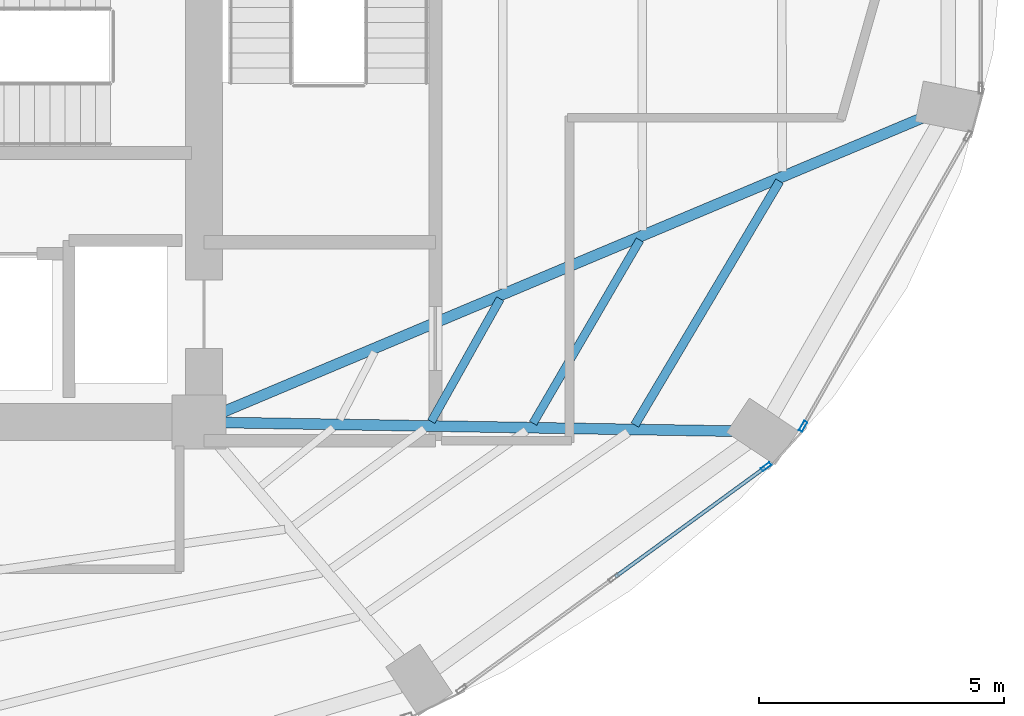
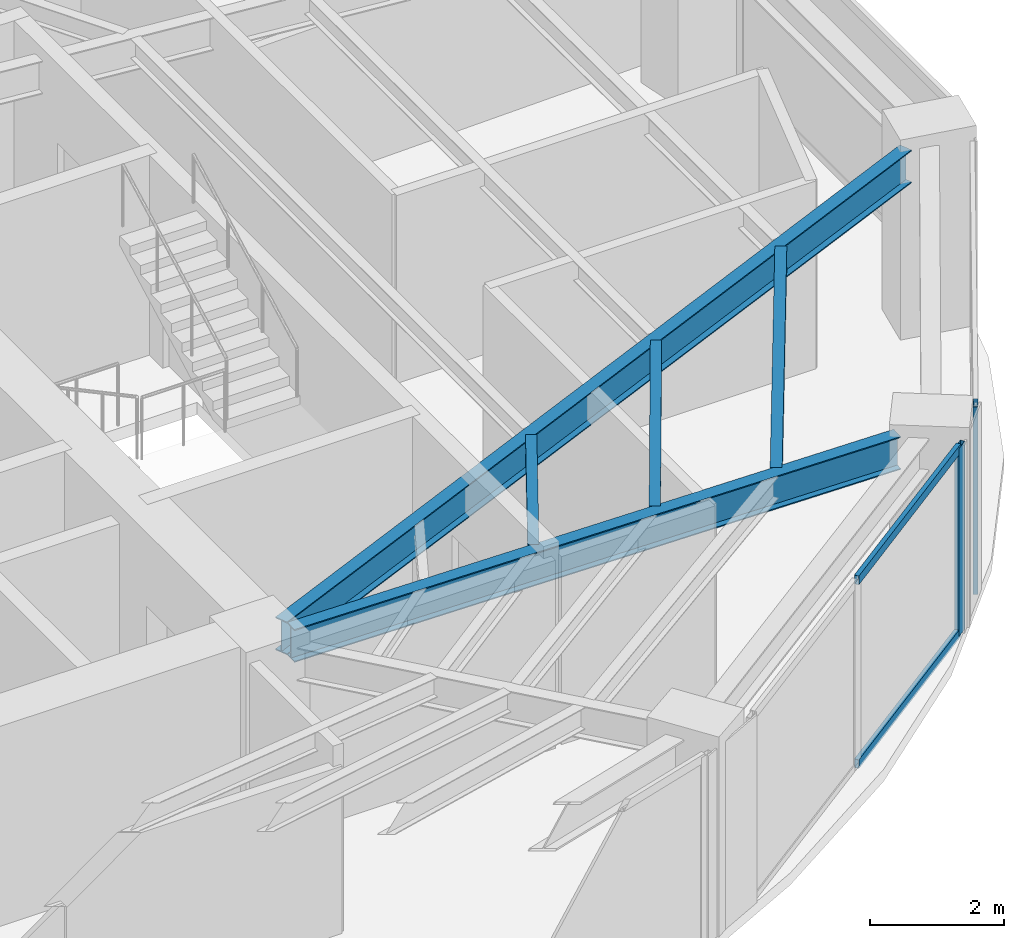
# One storey, part 11 of 23: 5 beams, 4 members, 2 elements without a shape of their own.
"""IFC4 building model written with IfcOpenShell, lengths in metres."""

from ifc_helpers import new_model, si_unit, direction, frame, origin, origin_2d, place, context, subcontext, project, spatial, hollow_rectangle, i_section, extrude, material, layer, layer_set, material_profile, profile_set, type_object, element, aggregate, save


model = new_model("IFC4")

# Units and contexts
model_context = context("Model", 3, precision=1e-05, world=origin(), true_north=direction((0.0, 1.0)))
body_context = subcontext(model_context, "Body", "Model", "MODEL_VIEW")
ifc_project = project(units=[si_unit("LENGTHUNIT", "METRE"), si_unit("AREAUNIT", "SQUARE_METRE"), si_unit("VOLUMEUNIT", "CUBIC_METRE"), si_unit("PLANEANGLEUNIT", "RADIAN"), si_unit("MASSUNIT", "GRAM", prefix="KILO")], contexts=[model_context])

# Site, building, storey
site_placement = place(None, origin())
site = spatial("IfcSite", under=ifc_project, at=site_placement, CompositionType="ELEMENT")
building_placement = place(site_placement, origin())
building = spatial("IfcBuilding", under=site, at=building_placement, Name="Lazwardi Medical Tower", CompositionType="ELEMENT")
storey_placement = place(building_placement, frame((0.0, 0.0, 92.68798828125)))
storey = spatial("IfcBuildingStorey", under=building, at=storey_placement, Name="L23", CompositionType="ELEMENT", Elevation=92.68798828125)

# Beams
ifc_material_1 = material(Name="Steel S355", Category="steel")
ifc_material_profile_1 = material_profile(ifc_material_1, i_section(OverallWidth=0.219970703125, OverallDepth=0.60009765625, WebThickness=0.011962890625, FlangeThickness=0.01904296875, at=origin_2d()), Name="IPE 600")
ifc_profile_set_1 = profile_set([ifc_material_profile_1], Name="Steel S355")
beam_type_1 = type_object("IfcBeamType", Name="BM-RG-W1", PredefinedType="BEAM", material=ifc_profile_set_1)
beam_1_placement = place(storey_placement, frame((56.497802734375, 20.215087890625, 3.1279296875), z_axis=(-0.99985616395, 0.016960289263, 0.0), x_axis=(-0.016960289263, -0.99985616395, 0.0)))
element("IfcBeam", 1, at=beam_1_placement, inside=storey, type_object=beam_type_1, Name="Radial girder RG-02 R03 L23", PredefinedType="BEAM", context=body_context, shape_type="SweptSolid", body=[
    extrude(i_section(OverallWidth=0.219970703125, OverallDepth=0.60009765625, WebThickness=0.011962890625, FlangeThickness=0.01904296875, at=origin_2d()), origin(), (0.0, 0.0, 1.0), 10.3642578125),
])
beam_2_placement = place(storey_placement, frame((60.328369140625, 26.59521484375, 3.1279296875), z_axis=(-0.921775176005, -0.38772480563, 0.0), x_axis=(0.38772480563, -0.921775176005, 0.0)))
element("IfcBeam", 2, at=beam_2_placement, inside=storey, type_object=beam_type_1, Name="Radial girder RG-02 R04 L23", PredefinedType="BEAM", context=body_context, shape_type="SweptSolid", body=[
    extrude(i_section(OverallWidth=0.219970703125, OverallDepth=0.60009765625, WebThickness=0.011962890625, FlangeThickness=0.01904296875, at=origin_2d()), origin(), (0.0, 0.0, 1.0), 15.443359375),
])
ifc_material_profile_2 = material_profile(ifc_material_1, i_section(OverallWidth=0.179931640625, OverallDepth=0.39990234375, WebThickness=0.008544921875, FlangeThickness=0.013427734375, at=origin_2d()), Name="IPE 400")
ifc_profile_set_2 = profile_set([ifc_material_profile_2], Name="Steel S355")
beam_type_2 = type_object("IfcBeamType", Name="BM-SJ-01", PredefinedType="JOIST", material=ifc_profile_set_2)
beam_3_placement = place(storey_placement, frame((54.47900390625, 20.340576171875, 3.22802734375), z_axis=(0.510499691073, 0.859877936346, 0.0), x_axis=(-0.859877936346, 0.510499691073, 0.0)))
element("IfcBeam", 3, at=beam_3_placement, inside=storey, type_object=beam_type_2, Name="Secondary joist SJ-01 R1 B03 L23", PredefinedType="JOIST", context=body_context, shape_type="SweptSolid", body=[
    extrude(i_section(OverallWidth=0.179931640625, OverallDepth=0.39990234375, WebThickness=0.008544921875, FlangeThickness=0.013427734375, at=origin_2d()), origin(), (0.0, 0.0, 1.0), 5.776123046875),
])
ifc_material_profile_3 = material_profile(ifc_material_1, i_section(OverallWidth=0.169921875, OverallDepth=0.360107421875, WebThickness=0.008056640625, FlangeThickness=0.0126953125, at=origin_2d()), Name="IPE 360")
ifc_profile_set_3 = profile_set([ifc_material_profile_3], Name="Steel S355")
beam_type_3 = type_object("IfcBeamType", Name="BM-SJ-02", PredefinedType="JOIST", material=ifc_profile_set_3)
beam_4_placement = place(storey_placement, frame((52.405517578125, 20.376220703125, 3.248046875), z_axis=(0.503544274258, 0.86396942299, 0.0), x_axis=(-0.86396942299, 0.503544274258, 0.0)))
element("IfcBeam", 4, at=beam_4_placement, inside=storey, type_object=beam_type_3, Name="Secondary joist SJ-02 R2 B03 L23", PredefinedType="JOIST", context=body_context, shape_type="SweptSolid", body=[
    extrude(i_section(OverallWidth=0.169921875, OverallDepth=0.360107421875, WebThickness=0.008056640625, FlangeThickness=0.0126953125, at=origin_2d()), origin(), (0.0, 0.0, 1.0), 4.321044921875),
])
beam_5_placement = place(storey_placement, frame((50.33154296875, 20.412109375, 3.248046875), z_axis=(0.489860824278, 0.871800649711, 0.0), x_axis=(-0.871800649711, 0.489860824278, 0.0)))
element("IfcBeam", 5, at=beam_5_placement, inside=storey, type_object=beam_type_3, Name="Secondary joist SJ-02 R3 B03 L23", PredefinedType="JOIST", context=body_context, shape_type="SweptSolid", body=[
    extrude(i_section(OverallWidth=0.169921875, OverallDepth=0.360107421875, WebThickness=0.008056640625, FlangeThickness=0.0126953125, at=origin_2d()), origin(), (0.0, 0.0, 1.0), 2.8662109375),
])

# Curtain wall, member
ifc_material_2 = material(Name="Anodised bronze aluminium and solar control glazing", Category="aluminium")
ifc_layer = layer(ifc_material_2, 0.195068359375)
ifc_layer_set = layer_set([ifc_layer], Name="Anodised bronze aluminium and solar control glazing")
curtain_wall_type = type_object("IfcCurtainWallType", Name="CW-SYS-03", PredefinedType="NOTDEFINED", material=ifc_layer_set)
curtain_wall_1_placement = place(storey_placement, origin())
curtain_wall_1 = element("IfcCurtainWall", 6, at=curtain_wall_1_placement, inside=storey, type_object=curtain_wall_type, Name="L23 Unitised bronze curtain wall CW-03", PredefinedType="NOTDEFINED")
ifc_material_3 = material(Name="Anodised bronze aluminium", Category="aluminium")
ifc_material_profile_4 = material_profile(ifc_material_3, hollow_rectangle(XDim=0.074951171875, YDim=0.219970703125, WallThickness=0.00390625, at=origin_2d()), Name="ALU-MULLION 220x75x4")
ifc_profile_set_4 = profile_set([ifc_material_profile_4], Name="Anodised bronze aluminium")
member_type_1 = type_object("IfcMemberType", Name="CW-MUL-01", PredefinedType="MULLION", material=ifc_profile_set_4)
member_1_placement = place(storey_placement, frame((57.155029296875, 19.4912109375, 0.0), z_axis=(0.0, 0.0, 1.0), x_axis=(-0.589530882802, 0.807745837639, 0.0)))
member_1 = element("IfcMember", 7, at=member_1_placement, type_object=member_type_1, Name="CW-03 mullion 3", PredefinedType="MULLION", context=body_context, shape_type="SweptSolid", body=[
    extrude(hollow_rectangle(XDim=0.074951171875, YDim=0.219970703125, WallThickness=0.00390625, at=origin_2d()), origin(), (0.0, 0.0, 1.0), 3.427978515625),
])

curtain_wall_2_placement = place(storey_placement, origin())
curtain_wall_2 = element("IfcCurtainWall", 8, at=curtain_wall_2_placement, inside=storey, type_object=curtain_wall_type, Name="L23 Unitised bronze curtain wall CW-03", PredefinedType="NOTDEFINED")
member_2_placement = place(storey_placement, frame((57.9072265625, 20.314208984375, 0.0), z_axis=(0.0, 0.0, 1.0), x_axis=(-0.869687265712, 0.493603140041, 0.0)))
member_2 = element("IfcMember", 9, at=member_2_placement, type_object=member_type_1, Name="CW-03 mullion 1", PredefinedType="MULLION", context=body_context, shape_type="SweptSolid", body=[
    extrude(hollow_rectangle(XDim=0.074951171875, YDim=0.219970703125, WallThickness=0.00390625, at=origin_2d()), origin(), (0.0, 0.0, 1.0), 3.427978515625),
])
aggregate(curtain_wall_2, [member_2])

# Member
ifc_material_profile_5 = material_profile(ifc_material_3, hollow_rectangle(XDim=0.074951171875, YDim=0.159912109375, WallThickness=0.00390625, at=origin_2d()), Name="ALU-TRANSOM 160x75x4")
ifc_profile_set_5 = profile_set([ifc_material_profile_5], Name="Anodised bronze aluminium")
member_type_2 = type_object("IfcMemberType", Name="CW-TRN-01", PredefinedType="USERDEFINED", material=ifc_profile_set_5)
member_3_placement = place(storey_placement, frame((54.081298828125, 17.247802734375, 0.03759765625), z_axis=(0.807731734271, 0.589550206049, 0.0), x_axis=(-0.589550206049, 0.807731734271, 0.0)))
member_3 = element("IfcMember", 10, at=member_3_placement, type_object=member_type_2, Name="CW-03 transom 2.1", ObjectType="TRANSOM", PredefinedType="USERDEFINED", context=body_context, shape_type="SweptSolid", body=[
    extrude(hollow_rectangle(XDim=0.074951171875, YDim=0.159912109375, WallThickness=0.00390625, at=origin_2d()), origin(), (0.0, 0.0, 1.0), 3.767578125),
])

member_4_placement = place(storey_placement, frame((54.081298828125, 17.247802734375, 3.390625), z_axis=(0.807731734271, 0.589550206049, 0.0), x_axis=(-0.589550206049, 0.807731734271, 0.0)))
member_4 = element("IfcMember", 11, at=member_4_placement, type_object=member_type_2, Name="CW-03 transom 2.2", ObjectType="TRANSOM", PredefinedType="USERDEFINED", context=body_context, shape_type="SweptSolid", body=[
    extrude(hollow_rectangle(XDim=0.074951171875, YDim=0.159912109375, WallThickness=0.00390625, at=origin_2d()), origin(), (0.0, 0.0, 1.0), 3.767578125),
])

aggregate(curtain_wall_1, [member_1, member_3, member_4])

save(model, "model.ifc")
